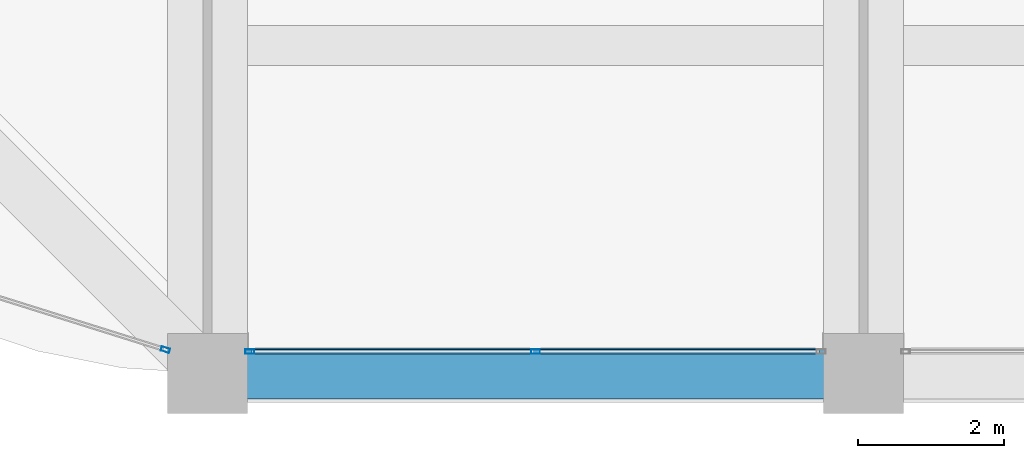
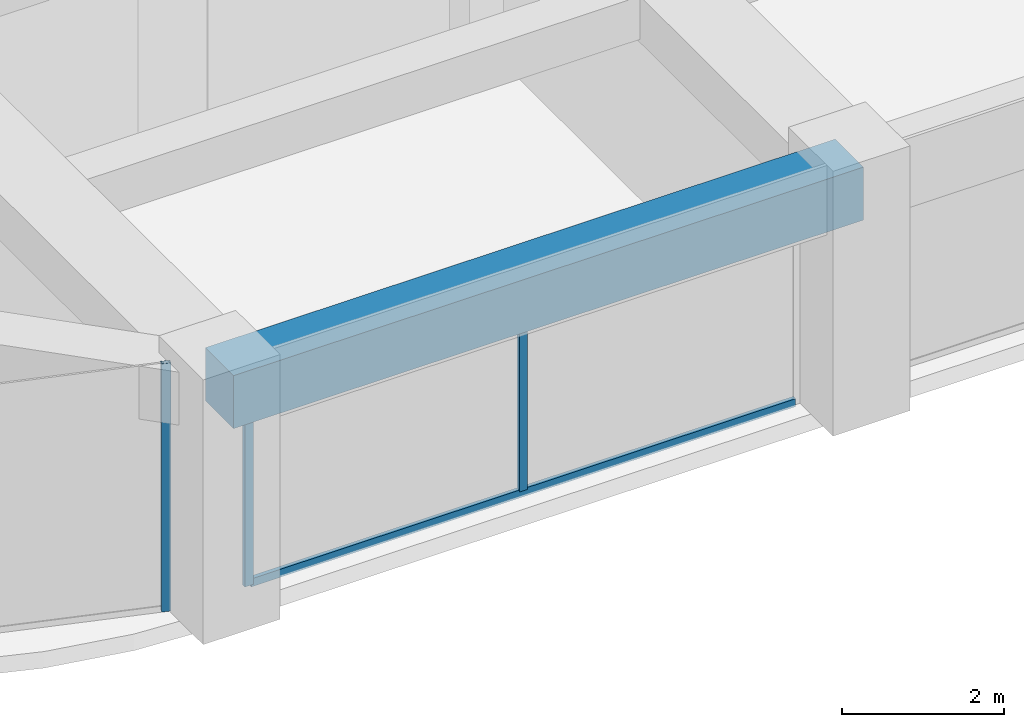
# One storey, part 4 of 44: 4 members, 1 beam, 2 elements without a shape of their own.
"""IFC4 building model written with IfcOpenShell, lengths in metres."""

import ifcopenshell
import ifcopenshell.guid

model = None  # the IFC model being written
_history = None  # IfcOwnerHistory: only IFC2X3 demands one
_inside = {}  # id of a spatial element -> (the spatial element, [elements in it])
_under = {}  # id of a project, library or spatial element -> (it, [spatial elements below it])
_declared = {}  # id of a project -> (the project, [libraries it declares])
_typed = {}  # id of a type object -> (the type object, [elements of that type])
_made_of = {}  # id of a material, layer set ... -> (it, [elements and type objects made of it])


def new_model(schema):
    """Start an empty IFC model of exactly this schema.

    Asked for "IFC4X3", IfcOpenShell would pick the latest addendum, in which some entities
    have other attributes; the version numbers below select the first issue.
    IFC2X3 requires an IfcOwnerHistory on every rooted entity: one is made here for all.
    """
    global model, _history
    if schema == "IFC4X3":
        model = ifcopenshell.file(schema_version=(4, 3, 0, 0))
    else:
        model = ifcopenshell.file(schema=schema)
    _inside.clear()
    _under.clear()
    _declared.clear()
    _typed.clear()
    _made_of.clear()
    _history = None
    if model.schema == "IFC2X3":
        org = make("IfcOrganization", Name="unknown")
        user = make(
            "IfcPersonAndOrganization",
            ThePerson=make("IfcPerson", FamilyName="unknown"),
            TheOrganization=org,
        )
        app = make(
            "IfcApplication",
            ApplicationDeveloper=org,
            Version="unknown",
            ApplicationFullName="unknown",
            ApplicationIdentifier="unknown",
        )
        _history = make(
            "IfcOwnerHistory",
            OwningUser=user,
            OwningApplication=app,
            ChangeAction="ADDED",
            CreationDate=0,
        )
    return model


def make(cls, **values):
    """One entity of the class cls with the attributes given. An attribute that is None is left unset."""
    return model.create_entity(
        cls, **{name: value for name, value in values.items() if value is not None}
    )


def rooted(cls, **values):
    """An entity with a GlobalId (a new one), such as an element, a storey or a relation."""
    return make(cls, GlobalId=ifcopenshell.guid.new(), OwnerHistory=_history, **values)


def si_unit(unit_type, name, prefix=None):
    """IfcSIUnit, for example si_unit("LENGTHUNIT", "METRE", prefix="MILLI")."""
    return make("IfcSIUnit", UnitType=unit_type, Prefix=prefix, Name=name)


def assignment(units):
    """IfcUnitAssignment: the units of a project."""
    return None if units is None else make("IfcUnitAssignment", Units=units)


def point(xyz):
    """IfcCartesianPoint."""
    return None if xyz is None else make("IfcCartesianPoint", Coordinates=xyz)


def direction(xyz):
    """IfcDirection."""
    return None if xyz is None else make("IfcDirection", DirectionRatios=xyz)


def frame(location, z_axis=None, x_axis=None):
    """IfcAxis2Placement3D, a coordinate frame: its origin and axes. An axis left out is left unset."""
    return make(
        "IfcAxis2Placement3D",
        Location=point(location),
        Axis=direction(z_axis),
        RefDirection=direction(x_axis),
    )


def frame_2d(location, x_axis=None):
    """IfcAxis2Placement2D, a coordinate frame in the plane: its origin and x axis."""
    return make(
        "IfcAxis2Placement2D", Location=point(location), RefDirection=direction(x_axis)
    )


def origin():
    """The frame at (0, 0, 0) with its axes left unset."""
    return frame((0.0, 0.0, 0.0))


def origin_2d():
    """The frame at (0, 0) in the plane with its x axis left unset."""
    return frame_2d((0.0, 0.0))


def place(relative_to, where):
    """IfcLocalPlacement: puts the frame where relative to a parent placement (None: the world)."""
    return make(
        "IfcLocalPlacement", PlacementRelTo=relative_to, RelativePlacement=where
    )


def context(
    kind, dimensions, precision=None, world=None, true_north=None, identifier=None
):
    """IfcGeometricRepresentationContext, for example the 3D "Model" context."""
    return make(
        "IfcGeometricRepresentationContext",
        ContextIdentifier=identifier,
        ContextType=kind,
        CoordinateSpaceDimension=dimensions,
        Precision=precision,
        WorldCoordinateSystem=world,
        TrueNorth=true_north,
    )


def subcontext(parent, identifier, kind, view, scale=None):
    """IfcGeometricRepresentationSubContext, for example "Body" below "Model"."""
    return make(
        "IfcGeometricRepresentationSubContext",
        ContextIdentifier=identifier,
        ContextType=kind,
        ParentContext=parent,
        TargetScale=scale,
        TargetView=view,
    )


def project(units=None, contexts=None):
    """IfcProject with its units and contexts."""
    return rooted(
        "IfcProject",
        Name="project",
        RepresentationContexts=contexts,
        UnitsInContext=assignment(units),
    )


def spatial(cls, under=None, at=None, **own):
    """A site, building, storey or space (cls), placed at a placement, below another one or the project."""
    s = rooted(cls, ObjectPlacement=at, **own)
    if under is not None:
        _under.setdefault(under.id(), (under, []))[1].append(s)
    return s


def profile(cls, at=None, kind="AREA", **sizes):
    """A parametric profile (cls). Its sizes go by their IFC names, for example OverallWidth=200.0."""
    return make(cls, ProfileType=kind, Position=at, **sizes)


def rectangle(**sizes):
    """IfcRectangleProfileDef."""
    return profile("IfcRectangleProfileDef", **sizes)


def hollow_rectangle(**sizes):
    """IfcRectangleHollowProfileDef."""
    return profile("IfcRectangleHollowProfileDef", **sizes)


def extrude(swept, where, along, depth):
    """IfcExtrudedAreaSolid: the profile swept, set in the frame where, extruded along a direction by depth."""
    return make(
        "IfcExtrudedAreaSolid",
        SweptArea=swept,
        Position=where,
        ExtrudedDirection=direction(along),
        Depth=depth,
    )


def shape(context_of_items, identifier, shape_type, items):
    """IfcShapeRepresentation: the items that make up one representation, for example the "Body"."""
    return make(
        "IfcShapeRepresentation",
        ContextOfItems=context_of_items,
        RepresentationIdentifier=identifier,
        RepresentationType=shape_type,
        Items=items,
    )


def material(Name=None, Category=None):
    """IfcMaterial."""
    return make("IfcMaterial", Name=Name, Category=Category)


def material_profile(
    of_material, cross_section, Name=None, Category=None, Priority=None
):
    """IfcMaterialProfile: a cross section and its material."""
    return make(
        "IfcMaterialProfile",
        Name=Name,
        Material=of_material,
        Profile=cross_section,
        Priority=Priority,
        Category=Category,
    )


def profile_set(profiles, Name=None, composite=None):
    """IfcMaterialProfileSet."""
    return make(
        "IfcMaterialProfileSet",
        Name=Name,
        MaterialProfiles=profiles,
        CompositeProfile=composite,
    )


def made_of(thing, what):
    """Note that an element or type object is made of a material, layer set ...; save() writes the relation."""
    if what is not None:
        _made_of.setdefault(what.id(), (what, []))[1].append(thing)
    return thing


def type_object(cls, material=None, **own):
    """A type object (cls), such as IfcWallType, which elements share."""
    return made_of(rooted(cls, **own), material)


def element(
    cls,
    number,
    at=None,
    inside=None,
    cuts=None,
    type_object=None,
    material=None,
    context=None,
    identifier="Body",
    shape_type=None,
    held_by="IfcProductDefinitionShape",
    body=None,
    shapes=None,
    **own,
):
    """One element of the class cls, such as IfcWall. Its Tag is "e" and its number.

    at: its placement. inside: the storey or other place that contains it. cuts: it is an
    opening in that element (IfcRelVoidsElement). A single representation is given by context,
    identifier, shape_type and body (its items); several are given by shapes. held_by: the class
    of the entity that holds the representations. save() writes the other relations.
    """
    e = rooted(cls, Tag="e%d" % number, ObjectPlacement=at, **own)
    if body is not None:
        shapes = [shape(context, identifier, shape_type, body)]
    if shapes is not None:
        e.Representation = make(held_by, Representations=shapes)
    if inside is not None:
        _inside.setdefault(inside.id(), (inside, []))[1].append(e)
    if cuts is not None:
        rooted(
            "IfcRelVoidsElement", RelatingBuildingElement=cuts, RelatedOpeningElement=e
        )
    if type_object is not None:
        _typed.setdefault(type_object.id(), (type_object, []))[1].append(e)
    return made_of(e, material)


def aggregate(whole, parts):
    """IfcRelAggregates: a whole, such as a stair, and the parts it consists of."""
    return rooted("IfcRelAggregates", RelatingObject=whole, RelatedObjects=parts)


def save(model, path):
    """Write the relations noted so far, then the file.

    IfcRelAggregates (storeys below a building ...), IfcRelContainedInSpatialStructure (elements
    in a storey), IfcRelDefinesByType, IfcRelAssociatesMaterial and IfcRelDeclares: one each for
    every whole, place, type object, material and project.
    """
    for whole, parts in _under.values():
        aggregate(whole, parts)
    for where, things in _inside.values():
        rooted(
            "IfcRelContainedInSpatialStructure",
            RelatedElements=things,
            RelatingStructure=where,
        )
    for kind, things in _typed.values():
        rooted("IfcRelDefinesByType", RelatedObjects=things, RelatingType=kind)
    for what, things in _made_of.values():
        rooted("IfcRelAssociatesMaterial", RelatedObjects=things, RelatingMaterial=what)
    for by, libraries in _declared.values():
        rooted("IfcRelDeclares", RelatingContext=by, RelatedDefinitions=libraries)
    model.write(path)


model = new_model("IFC4")

# Units and contexts
model_context = context("Model", 3, precision=1e-05, world=origin(), true_north=direction((0.0, 1.0)))
body_context = subcontext(model_context, "Body", "Model", "MODEL_VIEW")
ifc_project = project(units=[si_unit("LENGTHUNIT", "METRE"), si_unit("AREAUNIT", "SQUARE_METRE"), si_unit("VOLUMEUNIT", "CUBIC_METRE"), si_unit("PLANEANGLEUNIT", "RADIAN"), si_unit("MASSUNIT", "GRAM", prefix="KILO")], contexts=[model_context])

# Site, building, storey
site_placement = place(None, origin())
site = spatial("IfcSite", under=ifc_project, at=site_placement, CompositionType="ELEMENT")
building_placement = place(site_placement, origin())
building = spatial("IfcBuilding", under=site, at=building_placement, Name="Zorevar Civic Tower", CompositionType="ELEMENT")
storey_placement = place(building_placement, frame((0.0, 0.0, 263.39990234375)))
storey = spatial("IfcBuildingStorey", under=building, at=storey_placement, Name="L64", CompositionType="ELEMENT", Elevation=263.39990234375)

# Curtain wall, members
ifc_material_1 = material(Name="Dark grey solar-control glass in black aluminium frame", Category="aluminium")
curtain_wall_type = type_object("IfcCurtainWallType", Name="Curtain wall CW5 top zone", PredefinedType="NOTDEFINED", material=ifc_material_1)
curtain_wall_1_placement = place(storey_placement, origin())
curtain_wall_1 = element("IfcCurtainWall", 1, at=curtain_wall_1_placement, inside=storey, type_object=curtain_wall_type, Name="CW5 L64", PredefinedType="NOTDEFINED")
ifc_material_2 = material(Name="Aluminium, black anodised", Category="aluminium")
ifc_material_profile_1 = material_profile(ifc_material_2, hollow_rectangle(XDim=0.06005859375, YDim=0.1201171875, WallThickness=0.0029296875, at=origin_2d()), Name="AL 120x60x3")
ifc_profile_set_1 = profile_set([ifc_material_profile_1], Name="Aluminium, black anodised")
member_type_1 = type_object("IfcMemberType", Name="CW5 mullion AL 120x60x3", PredefinedType="MULLION", material=ifc_profile_set_1)
member_1_placement = place(storey_placement, frame((18.580078125, 0.300048828125, 0.0), z_axis=(0.0, 0.0, 1.0), x_axis=(0.0, 1.0, 0.0)))
member_1 = element("IfcMember", 2, at=member_1_placement, type_object=member_type_1, Name="CW5 mullion 1", PredefinedType="MULLION", context=body_context, shape_type="SweptSolid", body=[
    extrude(hollow_rectangle(XDim=0.06005859375, YDim=0.1201171875, WallThickness=0.0029296875, at=origin_2d()), origin(), (0.0, 0.0, 1.0), 2.9501953125),
])
member_2_placement = place(storey_placement, frame((22.5, 0.300048828125, 0.06005859375), z_axis=(0.0, 0.0, 1.0), x_axis=(0.0, 1.0, 0.0)))
member_2 = element("IfcMember", 3, at=member_2_placement, type_object=member_type_1, Name="CW5 mullion 2", PredefinedType="MULLION", context=body_context, shape_type="SweptSolid", body=[
    extrude(hollow_rectangle(XDim=0.06005859375, YDim=0.1201171875, WallThickness=0.0029296875, at=origin_2d()), origin(), (0.0, 0.0, 1.0), 2.89013671875),
])

# Curtain wall, member
curtain_wall_2_placement = place(storey_placement, origin())
curtain_wall_2 = element("IfcCurtainWall", 4, at=curtain_wall_2_placement, inside=storey, type_object=curtain_wall_type, Name="CW5 L64", PredefinedType="NOTDEFINED")
member_3_placement = place(storey_placement, frame((17.42138671875, 0.326416015625, 0.0), z_axis=(0.0, 0.0, 1.0), x_axis=(0.299317920238, 0.954153437674, 0.0)))
member_3 = element("IfcMember", 5, at=member_3_placement, type_object=member_type_1, Name="CW5 mullion 2", PredefinedType="MULLION", context=body_context, shape_type="SweptSolid", body=[
    extrude(hollow_rectangle(XDim=0.06005859375, YDim=0.1201171875, WallThickness=0.0029296875, at=origin_2d()), origin(), (0.0, 0.0, 1.0), 3.75),
])
aggregate(curtain_wall_2, [member_3])

# Member
ifc_material_3 = material(Name="Aluminium, black anodised", Category="aluminium")
ifc_material_profile_2 = material_profile(ifc_material_3, hollow_rectangle(XDim=0.06005859375, YDim=0.1201171875, WallThickness=0.0029296875, at=origin_2d()), Name="AL 120x60x3")
ifc_profile_set_2 = profile_set([ifc_material_profile_2], Name="Aluminium, black anodised")
member_type_2 = type_object("IfcMemberType", Name="CW5 transom AL 120x60x3", PredefinedType="USERDEFINED", material=ifc_profile_set_2)
member_4_placement = place(storey_placement, frame((18.610107421875, 0.300048828125, 0.030029296875), z_axis=(1.0, 0.0, 0.0), x_axis=(0.0, 1.0, 0.0)))
member_4 = element("IfcMember", 6, at=member_4_placement, type_object=member_type_2, Name="CW5 sill transom", ObjectType="TRANSOM", PredefinedType="USERDEFINED", context=body_context, shape_type="SweptSolid", body=[
    extrude(hollow_rectangle(XDim=0.06005859375, YDim=0.1201171875, WallThickness=0.0029296875, at=origin_2d()), origin(), (0.0, 0.0, 1.0), 7.77978515625),
])

aggregate(curtain_wall_1, [member_1, member_2, member_4])

# Beam
ifc_material_4 = material(Name="Concrete C50/60", Category="concrete")
ifc_material_profile_3 = material_profile(ifc_material_4, rectangle(XDim=0.699951171875, YDim=0.800048828125, at=origin_2d()), Name="RC 700x800")
ifc_profile_set_3 = profile_set([ifc_material_profile_3], Name="Concrete C50/60")
beam_type = type_object("IfcBeamType", Name="Edge beam RC 700x800", PredefinedType="SPANDREL", material=ifc_profile_set_3)
beam_placement = place(storey_placement, frame((18.0, 0.0, 3.35009765625), z_axis=(1.0, 0.0, 0.0), x_axis=(0.0, 1.0, 0.0)))
element("IfcBeam", 7, at=beam_placement, inside=storey, type_object=beam_type, Name="Edge beam L65", PredefinedType="SPANDREL", context=body_context, shape_type="SweptSolid", body=[
    extrude(rectangle(XDim=0.699951171875, YDim=0.800048828125, at=origin_2d()), origin(), (0.0, 0.0, 1.0), 9.0),
])

save(model, "model.ifc")
